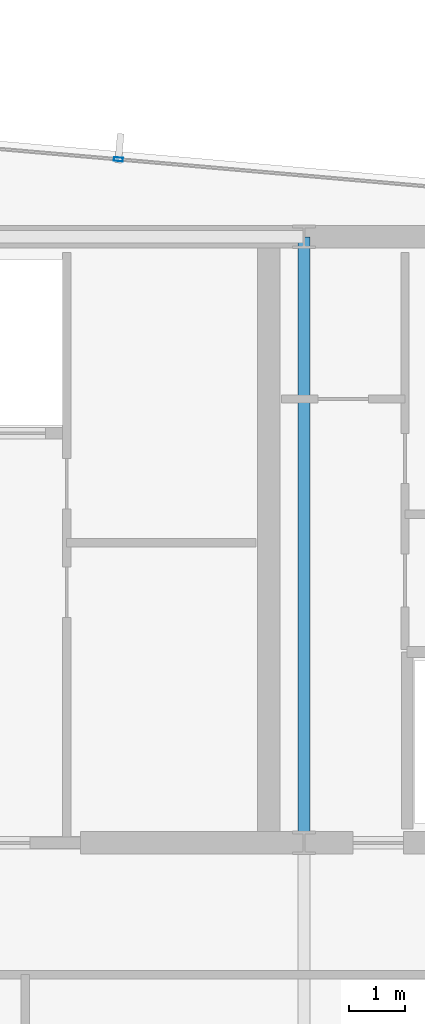
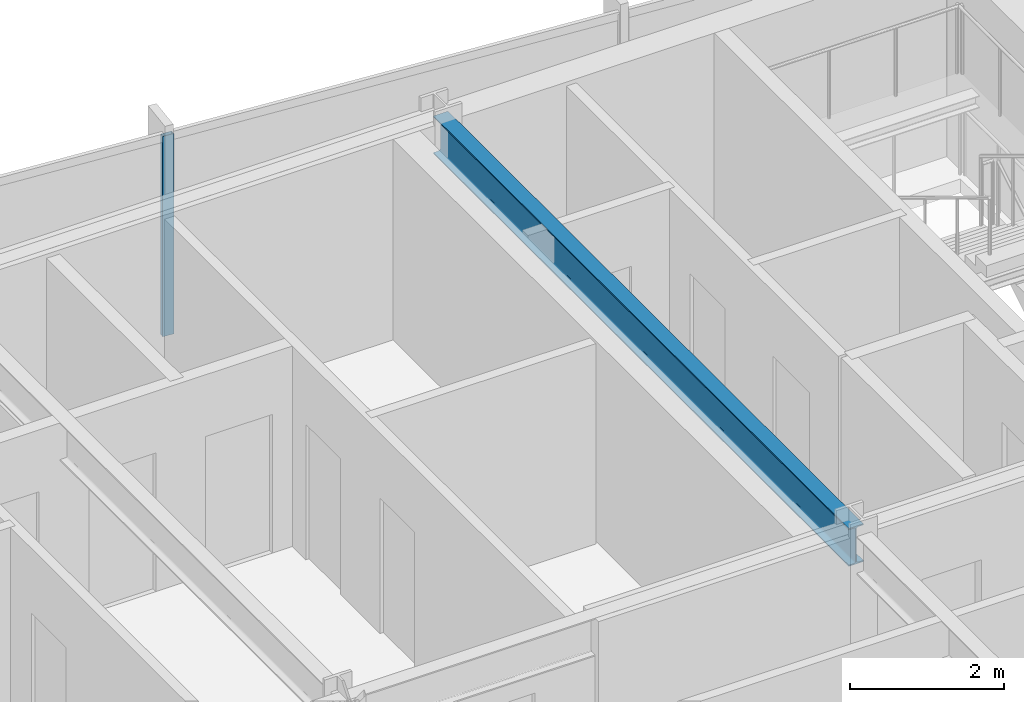
# One storey, part 19 of 33: 1 beam, 1 member, 1 element without a shape of its own.
"""IFC4 building model written with IfcOpenShell, lengths in metres."""

from ifc_helpers import new_model, si_unit, direction, frame, origin, origin_2d, place, context, subcontext, project, spatial, hollow_rectangle, i_section, extrude, material, material_profile, profile_set, type_object, element, aggregate, save


model = new_model("IFC4")

# Units and contexts
model_context = context("Model", 3, precision=1e-05, world=origin(), true_north=direction((0.0, 1.0)))
body_context = subcontext(model_context, "Body", "Model", "MODEL_VIEW")
ifc_project = project(units=[si_unit("LENGTHUNIT", "METRE"), si_unit("AREAUNIT", "SQUARE_METRE"), si_unit("VOLUMEUNIT", "CUBIC_METRE"), si_unit("PLANEANGLEUNIT", "RADIAN"), si_unit("MASSUNIT", "GRAM", prefix="KILO")], contexts=[model_context])

# Site, building, storey
site_placement = place(None, origin())
site = spatial("IfcSite", under=ifc_project, at=site_placement, CompositionType="ELEMENT")
building_placement = place(site_placement, origin())
building = spatial("IfcBuilding", under=site, at=building_placement, Name="Yelkora Congress Tower", CompositionType="ELEMENT")
storey_placement = place(building_placement, frame((0.0, 0.0, 289.699951171875)))
storey = spatial("IfcBuildingStorey", under=building, at=storey_placement, Name="L81", CompositionType="ELEMENT", Elevation=289.699951171875)

# Beam
ifc_material_1 = material(Name="Steel S355J2", Category="steel")
ifc_material_profile_1 = material_profile(ifc_material_1, i_section(OverallWidth=0.219970703125, OverallDepth=0.60009765625, WebThickness=0.011962890625, FlangeThickness=0.01904296875, FilletRadius=0.02392578125, at=origin_2d()), Name="IPE 600")
ifc_profile_set_1 = profile_set([ifc_material_profile_1], Name="Steel S355J2")
beam_type = type_object("IfcBeamType", Name="BM-GIRD-IPE600", PredefinedType="BEAM", material=ifc_profile_set_1)
beam_placement = place(storey_placement, frame((46.080078125, 35.39990234375, 2.880126953125), z_axis=(0.0, 1.0, 0.0), x_axis=(-1.0, 0.0, 0.0)))
element("IfcBeam", 1, at=beam_placement, inside=storey, type_object=beam_type, Name="L81 Core Tie Girder MC-S4", PredefinedType="BEAM", context=body_context, shape_type="SweptSolid", body=[
    extrude(i_section(OverallWidth=0.219970703125, OverallDepth=0.60009765625, WebThickness=0.011962890625, FlangeThickness=0.01904296875, FilletRadius=0.02392578125, at=origin_2d()), origin(), (0.0, 0.0, 1.0), 10.800048828125),
])

# Curtain wall, member
ifc_material_2 = material(Name="Anodised aluminium and insulated glass", Category="aluminium")
curtain_wall_type = type_object("IfcCurtainWallType", Name="CW-SYS-B5", PredefinedType="NOTDEFINED", material=ifc_material_2)
curtain_wall_placement = place(storey_placement, origin())
curtain_wall = element("IfcCurtainWall", 2, at=curtain_wall_placement, inside=storey, type_object=curtain_wall_type, Name="L81 Unitised Curtain Wall 10", PredefinedType="NOTDEFINED")
ifc_material_3 = material(Name="Anodised aluminium 6063-T6", Category="aluminium")
ifc_material_profile_2 = material_profile(ifc_material_3, hollow_rectangle(XDim=0.06494140625, YDim=0.159912109375, WallThickness=0.00390625, at=origin_2d()), Name="ALU 65x160x4")
ifc_profile_set_2 = profile_set([ifc_material_profile_2], Name="Anodised aluminium 6063-T6")
member_type = type_object("IfcMemberType", Name="MEM-ML-B5", PredefinedType="MULLION", material=ifc_profile_set_2)
member_placement = place(storey_placement, frame((42.77294921875, 47.58154296875, 0.0), z_axis=(0.0, 0.0, 1.0), x_axis=(0.087156639893, 0.996194619601, 0.0)))
member = element("IfcMember", 3, at=member_placement, type_object=member_type, Name="CW-B5 mullion 6", PredefinedType="MULLION", context=body_context, shape_type="SweptSolid", body=[
    extrude(hollow_rectangle(XDim=0.06494140625, YDim=0.159912109375, WallThickness=0.00390625, at=origin_2d()), origin(), (0.0, 0.0, 1.0), 3.179931640625),
])
aggregate(curtain_wall, [member])

save(model, "model.ifc")
